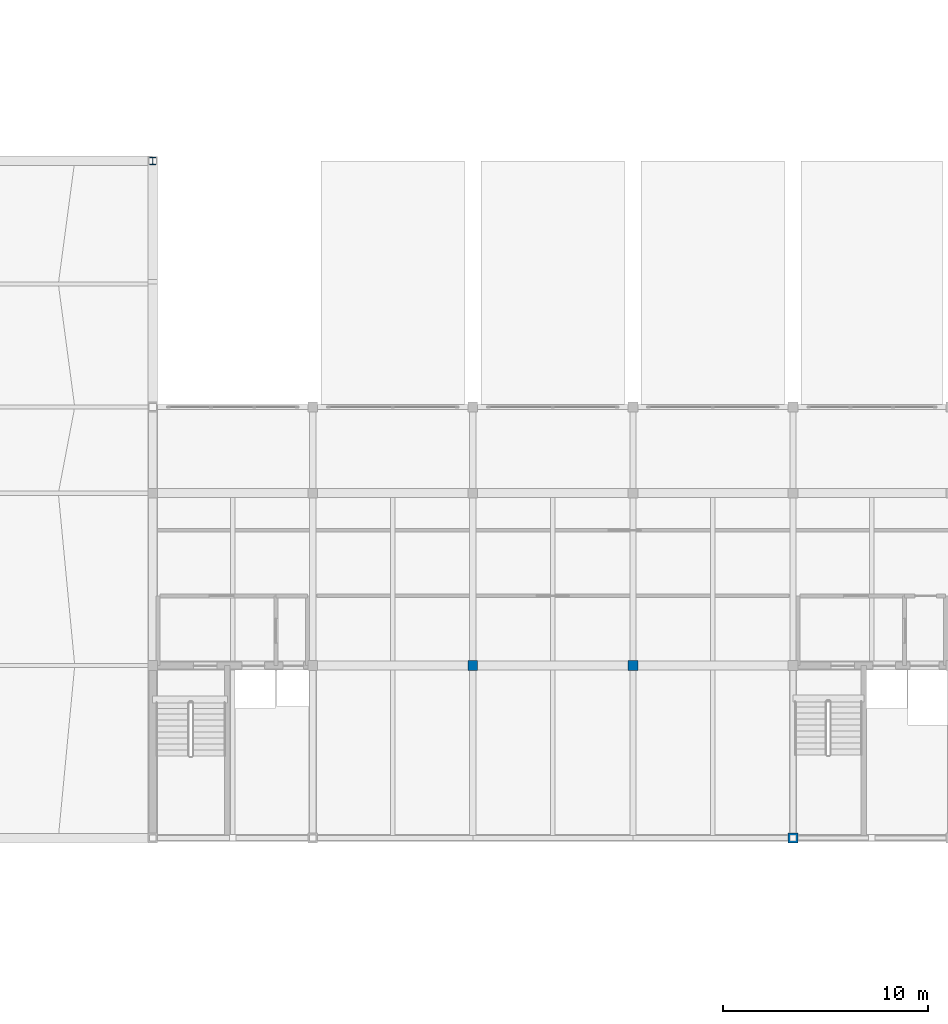
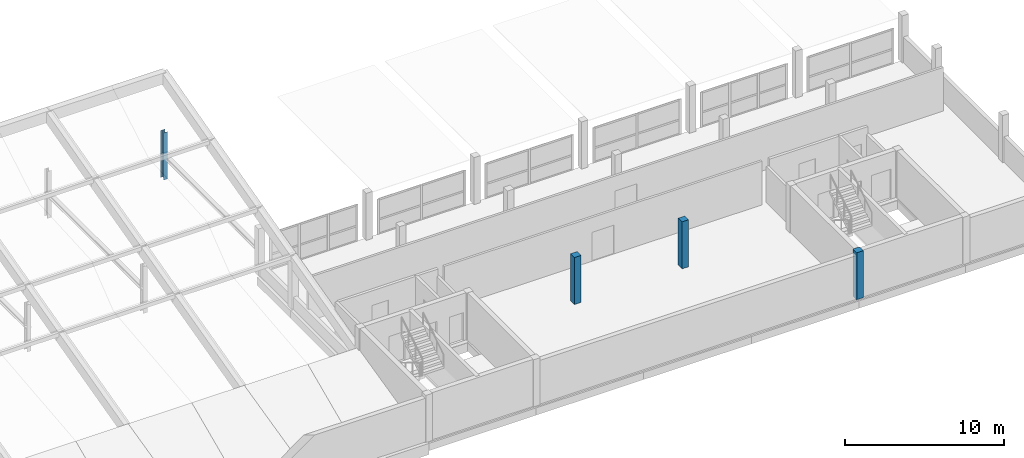
# One storey, part 6 of 51: 4 columns.
"""IFC4 building model written with IfcOpenShell, lengths in metres."""

from ifc_helpers import new_model, si_unit, direction, frame, origin, origin_2d, place, context, subcontext, project, spatial, rectangle, i_section, extrude, material, material_profile, profile_set, type_object, element, save


model = new_model("IFC4")

# Units and contexts
model_context = context("Model", 3, precision=1e-05, world=origin(), true_north=direction((0.0, 1.0)))
body_context = subcontext(model_context, "Body", "Model", "MODEL_VIEW")
ifc_project = project(units=[si_unit("LENGTHUNIT", "METRE"), si_unit("AREAUNIT", "SQUARE_METRE"), si_unit("VOLUMEUNIT", "CUBIC_METRE"), si_unit("PLANEANGLEUNIT", "RADIAN"), si_unit("MASSUNIT", "GRAM", prefix="KILO")], contexts=[model_context])

# Site, building, storey
site_placement = place(None, origin())
site = spatial("IfcSite", under=ifc_project, at=site_placement, CompositionType="ELEMENT")
building_placement = place(site_placement, origin())
building = spatial("IfcBuilding", under=site, at=building_placement, Name="Vharandega Faculty of Natural Sciences", CompositionType="ELEMENT")
storey_placement = place(building_placement, frame((0.0, 0.0, 18.0)))
storey = spatial("IfcBuildingStorey", under=building, at=storey_placement, Name="L04", CompositionType="ELEMENT", Elevation=18.0)

# Columns
ifc_material_1 = material(Name="Glulam GL32h", Category="wood")
ifc_material_profile_1 = material_profile(ifc_material_1, rectangle(XDim=0.47998046875, YDim=0.47998046875, at=origin_2d()), Name="GL32h 480x480")
ifc_profile_set_1 = profile_set([ifc_material_profile_1], Name="Glulam GL32h")
column_type_1 = type_object("IfcColumnType", Name="Glulam Column 480x480", PredefinedType="COLUMN", material=ifc_profile_set_1)
for number, where, z_axis, x_axis, name in (
    (1, (130.39990234375, 72.39990234375, 0.0), (0.0, 0.0, 1.0), (1.0, 0.0, 0.0), "Column 17/K L04"),
    (2, (138.199951171875, 72.39990234375, 0.0), (0.0, 0.0, 1.0), (1.0, 0.0, 0.0), "Column 18/K L04"),
    (3, (146.0, 64.0, 0.0), (0.0, 0.0, 1.0), (1.0, 0.0, 0.0), "Column 19/J L04"),
):
    element("IfcColumn", number, at=place(storey_placement, frame(where, z_axis=z_axis, x_axis=x_axis)), inside=storey, type_object=column_type_1, Name=name, PredefinedType="COLUMN", context=body_context, shape_type="SweptSolid", body=[
        extrude(rectangle(XDim=0.47998046875, YDim=0.47998046875, at=origin_2d()), origin(), (0.0, 0.0, 1.0), 3.60009765625),
    ])
ifc_material_2 = material(Name="Steel S355", Category="steel")
ifc_material_profile_2 = material_profile(ifc_material_2, i_section(OverallWidth=0.300048828125, OverallDepth=0.360107421875, WebThickness=0.012451171875, FlangeThickness=0.0224609375, FilletRadius=0.027099609375, at=origin_2d()), Name="HEB 360")
ifc_profile_set_2 = profile_set([ifc_material_profile_2], Name="Steel S355")
column_type_2 = type_object("IfcColumnType", Name="Steel Column HEB 360", PredefinedType="COLUMN", material=ifc_profile_set_2)
column_placement = place(storey_placement, frame((114.800048828125, 97.0, 0.0), z_axis=(0.0, 0.0, 1.0), x_axis=(1.0, 0.0, 0.0)))
element("IfcColumn", 4, at=column_placement, inside=storey, type_object=column_type_2, Name="Column 15/N L04", PredefinedType="COLUMN", context=body_context, shape_type="SweptSolid", body=[
    extrude(i_section(OverallWidth=0.300048828125, OverallDepth=0.360107421875, WebThickness=0.012451171875, FlangeThickness=0.0224609375, FilletRadius=0.027099609375, at=origin_2d()), origin(), (0.0, 0.0, 1.0), 3.60009765625),
])

save(model, "model.ifc")
